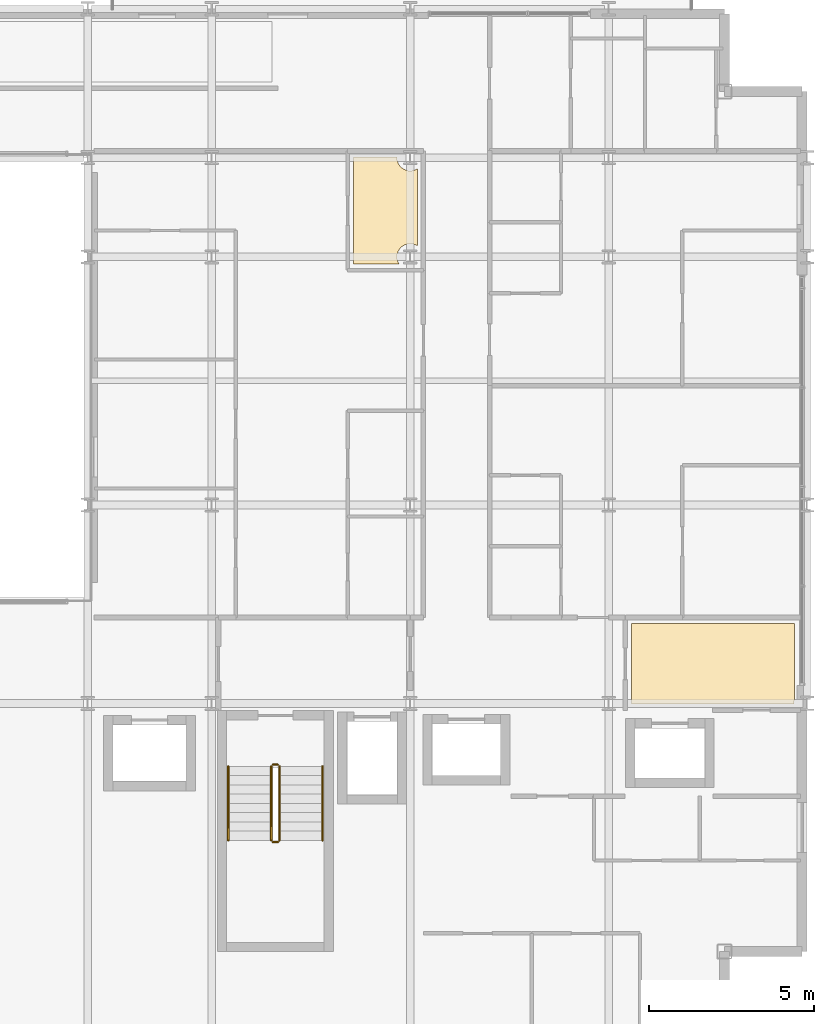
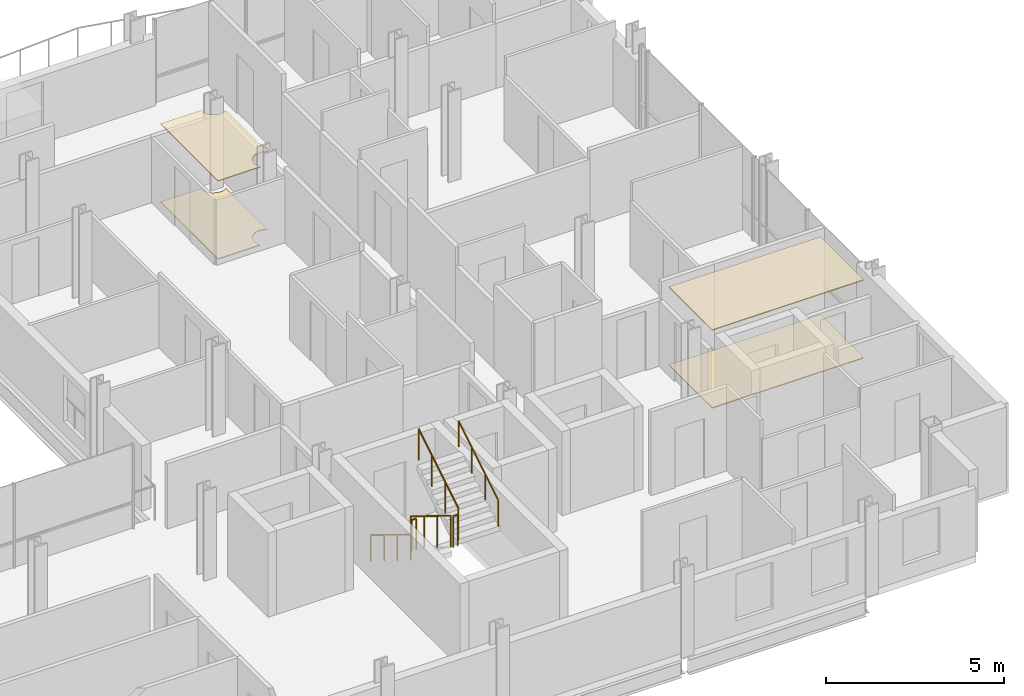
# One storey, part 40 of 41: 6 railings, 4 coverings.
"""IFC4 building model written with IfcOpenShell, lengths in metres."""

from ifc_helpers import new_model, si_unit, direction, frame, origin, origin_2d, place, context, subcontext, project, spatial, polyline, circle, outline, extrude, material, layer, layer_set, type_object, element, save


model = new_model("IFC4")

# Units and contexts
model_context = context("Model", 3, precision=1e-05, world=origin(), true_north=direction((0.0, 1.0)))
body_context = subcontext(model_context, "Body", "Model", "MODEL_VIEW")
ifc_project = project(units=[si_unit("LENGTHUNIT", "METRE"), si_unit("AREAUNIT", "SQUARE_METRE"), si_unit("VOLUMEUNIT", "CUBIC_METRE"), si_unit("PLANEANGLEUNIT", "RADIAN"), si_unit("MASSUNIT", "GRAM", prefix="KILO")], contexts=[model_context])

# Site, building, storey
site_placement = place(None, origin())
site = spatial("IfcSite", under=ifc_project, at=site_placement, CompositionType="ELEMENT")
building_placement = place(site_placement, origin())
building = spatial("IfcBuilding", under=site, at=building_placement, Name="Brevholm Reach", CompositionType="ELEMENT")
storey_placement = place(building_placement, frame((0.0, 0.0, 112.800048828125)))
storey = spatial("IfcBuildingStorey", under=building, at=storey_placement, Name="L33", CompositionType="ELEMENT", Elevation=112.800048828125)

# Coverings
ifc_material_1 = material(Name="Moisture-Resistant Skimmed Gypsum Plasterboard Ceiling", Category="gypsum")
ifc_layer_1 = layer(ifc_material_1, 0.030029296875)
ifc_layer_set_1 = layer_set([ifc_layer_1], Name="Moisture-Resistant Skimmed Gypsum Plasterboard Ceiling")
covering_type_1 = type_object("IfcCoveringType", Name="COV-CLG-GYP", PredefinedType="CEILING", material=ifc_layer_set_1)
covering_1_placement = place(storey_placement, frame((0.0, 0.0, 2.679931640625)))
element("IfcCovering", 1, at=covering_1_placement, inside=storey, type_object=covering_type_1, Name="L33 Suspended Ceiling L33-31", PredefinedType="CEILING", context=body_context, shape_type="SweptSolid", body=[
    extrude(outline(polyline([(59.6201171875, 12.419921875), (59.6201171875, 10.123779296875), (59.6171875, 10.1162109375), (59.607666015625, 10.077880859375), (59.601806640625, 10.039306640625), (59.60009765625, 10.0), (59.60107421875, 9.97998046875), (54.68408203125, 9.97998046875), (54.68408203125, 12.419921875), (59.6201171875, 12.419921875)])), origin(), (0.0, 0.0, 1.0), 0.030029296875),
])
covering_2_placement = place(storey_placement, frame((0.0, 0.0, 2.679931640625)))
element("IfcCovering", 2, at=covering_2_placement, inside=storey, type_object=covering_type_1, Name="L33 Suspended Ceiling L33-56", PredefinedType="CEILING", context=body_context, shape_type="SweptSolid", body=[
    extrude(outline(polyline([(46.2919921875, 26.51611328125), (47.600830078125, 26.51611328125), (47.60009765625, 26.5), (47.601806640625, 26.460693359375), (47.607666015625, 26.422119140625), (47.6171875, 26.3837890625), (47.63037109375, 26.346923828125), (47.647216796875, 26.311279296875), (47.66748046875, 26.27783203125), (47.69091796875, 26.24609375), (47.71728515625, 26.21728515625), (47.74609375, 26.19091796875), (47.77783203125, 26.16748046875), (47.811279296875, 26.147216796875), (47.846923828125, 26.13037109375), (47.8837890625, 26.1171875), (47.922119140625, 26.107666015625), (47.960693359375, 26.101806640625), (48.0, 26.10009765625), (48.039306640625, 26.101806640625), (48.077880859375, 26.107666015625), (48.1162109375, 26.1171875), (48.153076171875, 26.13037109375), (48.188720703125, 26.147216796875), (48.216064453125, 26.163818359375), (48.216064453125, 23.836181640625), (48.188720703125, 23.852783203125), (48.153076171875, 23.86962890625), (48.1162109375, 23.8828125), (48.077880859375, 23.892333984375), (48.039306640625, 23.898193359375), (48.0, 23.89990234375), (47.960693359375, 23.898193359375), (47.922119140625, 23.892333984375), (47.8837890625, 23.8828125), (47.846923828125, 23.86962890625), (47.811279296875, 23.852783203125), (47.77783203125, 23.83251953125), (47.74609375, 23.80908203125), (47.71728515625, 23.78271484375), (47.69091796875, 23.75390625), (47.66748046875, 23.72216796875), (47.647216796875, 23.688720703125), (47.63037109375, 23.653076171875), (47.6171875, 23.6162109375), (47.607666015625, 23.577880859375), (47.601806640625, 23.539306640625), (47.60009765625, 23.5), (47.601806640625, 23.460693359375), (47.607666015625, 23.422119140625), (47.6171875, 23.3837890625), (47.63037109375, 23.346923828125), (47.647216796875, 23.311279296875), (47.666015625, 23.280029296875), (46.2919921875, 23.280029296875), (46.2919921875, 26.51611328125)])), origin(), (0.0, 0.0, 1.0), 0.030029296875),
])
ifc_material_2 = material(Name="Engineered European Oak Acoustic Plank Flooring", Category="timber")
ifc_layer_2 = layer(ifc_material_2, 0.02197265625)
ifc_layer_set_2 = layer_set([ifc_layer_2], Name="Engineered European Oak Acoustic Plank Flooring")
covering_type_2 = type_object("IfcCoveringType", Name="COV-FLR-OAK", PredefinedType="FLOORING", material=ifc_layer_set_2)
covering_3_placement = place(storey_placement, origin())
element("IfcCovering", 3, at=covering_3_placement, inside=storey, type_object=covering_type_2, Name="L33 Floor Finish L33-56", PredefinedType="FLOORING", context=body_context, shape_type="SweptSolid", body=[
    extrude(outline(polyline([(46.2919921875, 26.51611328125), (47.600830078125, 26.51611328125), (47.60009765625, 26.5), (47.601806640625, 26.460693359375), (47.607666015625, 26.422119140625), (47.6171875, 26.3837890625), (47.63037109375, 26.346923828125), (47.647216796875, 26.311279296875), (47.66748046875, 26.27783203125), (47.69091796875, 26.24609375), (47.71728515625, 26.21728515625), (47.74609375, 26.19091796875), (47.77783203125, 26.16748046875), (47.811279296875, 26.147216796875), (47.846923828125, 26.13037109375), (47.8837890625, 26.1171875), (47.922119140625, 26.107666015625), (47.960693359375, 26.101806640625), (48.0, 26.10009765625), (48.039306640625, 26.101806640625), (48.077880859375, 26.107666015625), (48.1162109375, 26.1171875), (48.153076171875, 26.13037109375), (48.188720703125, 26.147216796875), (48.216064453125, 26.163818359375), (48.216064453125, 23.836181640625), (48.188720703125, 23.852783203125), (48.153076171875, 23.86962890625), (48.1162109375, 23.8828125), (48.077880859375, 23.892333984375), (48.039306640625, 23.898193359375), (48.0, 23.89990234375), (47.960693359375, 23.898193359375), (47.922119140625, 23.892333984375), (47.8837890625, 23.8828125), (47.846923828125, 23.86962890625), (47.811279296875, 23.852783203125), (47.77783203125, 23.83251953125), (47.74609375, 23.80908203125), (47.71728515625, 23.78271484375), (47.69091796875, 23.75390625), (47.66748046875, 23.72216796875), (47.647216796875, 23.688720703125), (47.63037109375, 23.653076171875), (47.6171875, 23.6162109375), (47.607666015625, 23.577880859375), (47.601806640625, 23.539306640625), (47.60009765625, 23.5), (47.601806640625, 23.460693359375), (47.607666015625, 23.422119140625), (47.6171875, 23.3837890625), (47.63037109375, 23.346923828125), (47.647216796875, 23.311279296875), (47.666015625, 23.280029296875), (46.2919921875, 23.280029296875), (46.2919921875, 26.51611328125)])), origin(), (0.0, 0.0, 1.0), 0.02197265625),
])
ifc_material_3 = material(Name="Honed Portland-Aggregate Resin Terrazzo Flooring", Category="concrete")
ifc_layer_3 = layer(ifc_material_3, 0.031982421875)
ifc_layer_set_3 = layer_set([ifc_layer_3], Name="Honed Portland-Aggregate Resin Terrazzo Flooring")
covering_type_3 = type_object("IfcCoveringType", Name="COV-FLR-TRZ", PredefinedType="FLOORING", material=ifc_layer_set_3)
covering_4_placement = place(storey_placement, origin())
element("IfcCovering", 4, at=covering_4_placement, inside=storey, type_object=covering_type_3, Name="L33 Floor Finish L33-31", PredefinedType="FLOORING", context=body_context, shape_type="SweptSolid", body=[
    extrude(outline(polyline([(59.6201171875, 12.419921875), (59.6201171875, 10.123779296875), (59.6171875, 10.1162109375), (59.607666015625, 10.077880859375), (59.601806640625, 10.039306640625), (59.60009765625, 10.0), (59.60107421875, 9.97998046875), (54.68408203125, 9.97998046875), (54.68408203125, 12.419921875), (59.6201171875, 12.419921875)])), origin(), (0.0, 0.0, 1.0), 0.031982421875),
])

# Railings
ifc_material_4 = material(Name="Brushed Stainless Steel EN 1.4401 Continuous Handrail", Category="steel")
railing_type_1 = type_object("IfcRailingType", Name="RAL-HND-950", PredefinedType="HANDRAIL", material=ifc_material_4)
railing_1_placement = place(storey_placement, frame((42.5, 8.10009765625, 0.172119140625)))
element("IfcRailing", 5, at=railing_1_placement, inside=storey, type_object=railing_type_1, Name="L33 ST-2 stair handrail 1", PredefinedType="HANDRAIL", context=body_context, shape_type="SweptSolid", body=[
    extrude(circle(Radius=0.02392578125, at=origin_2d()), frame((0.0, 0.0, 0.8857421875), z_axis=(0.0, -0.851747552033, 0.523952390591), x_axis=(1.0, 0.0, 0.0)), (0.0, 0.0, 1.0), 2.6298828125),
    extrude(circle(Radius=0.02099609375, at=origin_2d()), origin(), (0.0, 0.0, 1.0), 0.86181640625),
    extrude(circle(Radius=0.02099609375, at=origin_2d()), frame((0.0, -0.74658203125, 0.459228515625)), (0.0, 0.0, 1.0), 0.86181640625),
    extrude(circle(Radius=0.02099609375, at=origin_2d()), frame((0.0, -1.493408203125, 0.918701171875)), (0.0, 0.0, 1.0), 0.86181640625),
    extrude(circle(Radius=0.02099609375, at=origin_2d()), frame((0.0, -2.239990234375, 1.3779296875)), (0.0, 0.0, 1.0), 0.86181640625),
])
railing_2_placement = place(storey_placement, frame((45.35009765625, 5.860107421875, 1.72216796875)))
element("IfcRailing", 6, at=railing_2_placement, inside=storey, type_object=railing_type_1, Name="L33 ST-2 stair handrail 2", PredefinedType="HANDRAIL", context=body_context, shape_type="SweptSolid", body=[
    extrude(circle(Radius=0.02392578125, at=origin_2d()), frame((0.0, 0.0, 0.8857421875), z_axis=(0.0, 0.85178898068, 0.523885037382), x_axis=(-1.0, 0.0, 0.0)), (0.0, 0.0, 1.0), 2.629638671875),
    extrude(circle(Radius=0.02099609375, at=origin_2d()), origin(), (0.0, 0.0, 1.0), 0.86181640625),
    extrude(circle(Radius=0.02099609375, at=origin_2d()), frame((0.0, 0.74658203125, 0.459228515625)), (0.0, 0.0, 1.0), 0.86181640625),
    extrude(circle(Radius=0.02099609375, at=origin_2d()), frame((0.0, 1.493408203125, 0.91845703125)), (0.0, 0.0, 1.0), 0.86181640625),
    extrude(circle(Radius=0.02099609375, at=origin_2d()), frame((0.0, 2.239990234375, 1.377685546875)), (0.0, 0.0, 1.0), 0.86181640625),
])
ifc_material_5 = material(Name="Painted Tubular Galvanised Steel S275JR Stair Guard", Category="steel")
railing_type_2 = type_object("IfcRailingType", Name="RAL-STG-1120", PredefinedType="BALUSTRADE", material=ifc_material_5)
railing_3_placement = place(storey_placement, frame((43.800048828125, 8.10009765625, 0.172119140625)))
element("IfcRailing", 7, at=railing_3_placement, inside=storey, type_object=railing_type_2, Name="L33 ST-2 stair guard 1", PredefinedType="BALUSTRADE", context=body_context, shape_type="SweptSolid", body=[
    extrude(circle(Radius=0.02392578125, at=origin_2d()), frame((0.0, 0.0, 1.076171875), z_axis=(0.0, -0.851747552033, 0.523952390591), x_axis=(1.0, 0.0, 0.0)), (0.0, 0.0, 1.0), 2.6298828125),
    extrude(circle(Radius=0.02099609375, at=origin_2d()), origin(), (0.0, 0.0, 1.0), 1.052001953125),
    extrude(circle(Radius=0.02099609375, at=origin_2d()), frame((0.0, -0.74658203125, 0.459228515625)), (0.0, 0.0, 1.0), 1.052001953125),
    extrude(circle(Radius=0.02099609375, at=origin_2d()), frame((0.0, -1.493408203125, 0.918701171875)), (0.0, 0.0, 1.0), 1.052001953125),
    extrude(circle(Radius=0.02099609375, at=origin_2d()), frame((0.0, -2.239990234375, 1.3779296875)), (0.0, 0.0, 1.0), 1.052001953125),
])
railing_4_placement = place(storey_placement, frame((43.85009765625, 5.81005859375, 1.550048828125)))
element("IfcRailing", 8, at=railing_4_placement, inside=storey, type_object=railing_type_2, Name="L33 ST-2 stair guard 2", PredefinedType="BALUSTRADE", context=body_context, shape_type="SweptSolid", body=[
    extrude(circle(Radius=0.02392578125, at=origin_2d()), frame((0.0, 0.0, 1.076171875), z_axis=(1.0, 0.0, 0.0), x_axis=(0.0, 1.0, 0.0)), (0.0, 0.0, 1.0), 0.14990234375),
    extrude(circle(Radius=0.02099609375, at=origin_2d()), origin(), (0.0, 0.0, 1.0), 1.052001953125),
    extrude(circle(Radius=0.02099609375, at=origin_2d()), frame((0.14990234375, 0.0, 0.0)), (0.0, 0.0, 1.0), 1.052001953125),
])
railing_5_placement = place(storey_placement, frame((44.050048828125, 5.860107421875, 1.72216796875)))
element("IfcRailing", 9, at=railing_5_placement, inside=storey, type_object=railing_type_2, Name="L33 ST-2 stair guard 3", PredefinedType="BALUSTRADE", context=body_context, shape_type="SweptSolid", body=[
    extrude(circle(Radius=0.02392578125, at=origin_2d()), frame((0.0, 0.0, 1.076171875), z_axis=(0.0, 0.85178898068, 0.523885037382), x_axis=(-1.0, 0.0, 0.0)), (0.0, 0.0, 1.0), 2.629638671875),
    extrude(circle(Radius=0.02099609375, at=origin_2d()), origin(), (0.0, 0.0, 1.0), 1.052001953125),
    extrude(circle(Radius=0.02099609375, at=origin_2d()), frame((0.0, 0.74658203125, 0.459228515625)), (0.0, 0.0, 1.0), 1.052001953125),
    extrude(circle(Radius=0.02099609375, at=origin_2d()), frame((0.0, 1.493408203125, 0.91845703125)), (0.0, 0.0, 1.0), 1.052001953125),
    extrude(circle(Radius=0.02099609375, at=origin_2d()), frame((0.0, 2.239990234375, 1.377685546875)), (0.0, 0.0, 1.0), 1.052001953125),
])
railing_6_placement = place(storey_placement, frame((43.85009765625, 8.14990234375, 0.0)))
element("IfcRailing", 10, at=railing_6_placement, inside=storey, type_object=railing_type_2, Name="L33 ST-2 stair guard 4", PredefinedType="BALUSTRADE", context=body_context, shape_type="SweptSolid", body=[
    extrude(circle(Radius=0.02392578125, at=origin_2d()), frame((0.0, 0.0, 1.076171875), z_axis=(1.0, 0.0, 0.0), x_axis=(0.0, 1.0, 0.0)), (0.0, 0.0, 1.0), 0.14990234375),
    extrude(circle(Radius=0.02099609375, at=origin_2d()), origin(), (0.0, 0.0, 1.0), 1.052001953125),
    extrude(circle(Radius=0.02099609375, at=origin_2d()), frame((0.14990234375, 0.0, 0.0)), (0.0, 0.0, 1.0), 1.052001953125),
])

save(model, "model.ifc")
